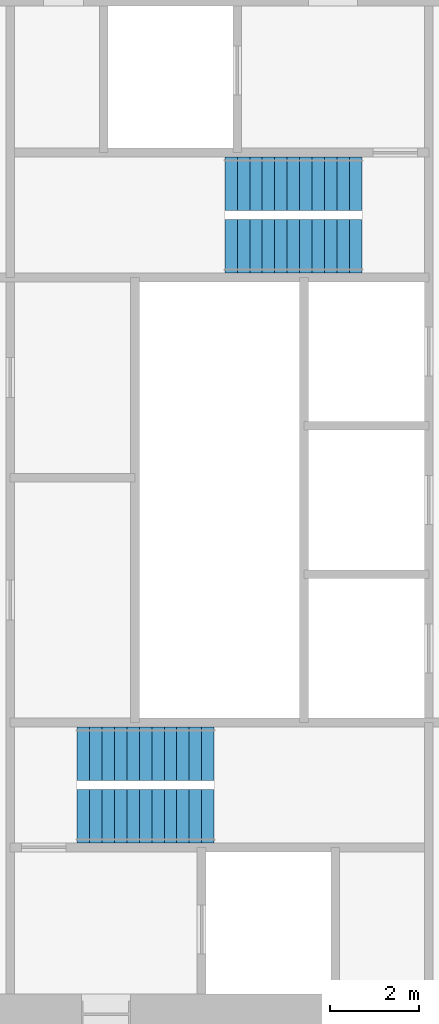
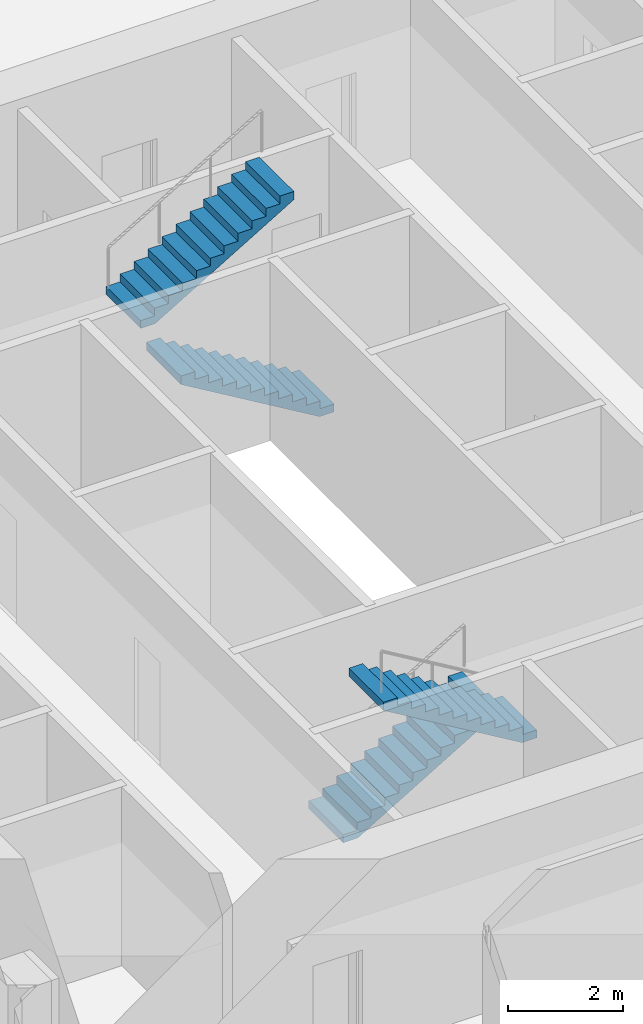
# One storey, part 12 of 14: 4 stair flights, 2 elements without a shape of their own.
"""IFC4 building model written with IfcOpenShell, lengths in metres."""

from ifc_helpers import new_model, si_unit, direction, frame, origin, place, context, subcontext, project, spatial, polyline, outline, extrude, material, type_object, element, aggregate, save


model = new_model("IFC4")

# Units and contexts
model_context = context("Model", 3, precision=1e-05, world=origin(), true_north=direction((0.0, 1.0)))
body_context = subcontext(model_context, "Body", "Model", "MODEL_VIEW")
ifc_project = project(units=[si_unit("LENGTHUNIT", "METRE"), si_unit("AREAUNIT", "SQUARE_METRE"), si_unit("VOLUMEUNIT", "CUBIC_METRE"), si_unit("PLANEANGLEUNIT", "RADIAN"), si_unit("MASSUNIT", "GRAM", prefix="KILO")], contexts=[model_context])

# Site, building, storey
site_placement = place(None, origin())
site = spatial("IfcSite", under=ifc_project, at=site_placement, CompositionType="ELEMENT")
building_placement = place(site_placement, origin())
building = spatial("IfcBuilding", under=site, at=building_placement, Name="Fenwick Lantern Interchange", CompositionType="ELEMENT")
storey_placement = place(building_placement, frame((0.0, 0.0, 221.800048828125)))
storey = spatial("IfcBuildingStorey", under=building, at=storey_placement, Name="L52", CompositionType="ELEMENT", Elevation=221.800048828125)

# Stair, stair flights
ifc_material = material(Name="Precast concrete f'c 35 MPa", Category="concrete")
stair_type = type_object("IfcStairType", Name="EXIT STAIR 1200", PredefinedType="HALF_TURN_STAIR", material=ifc_material)
stair_1_placement = place(storey_placement, origin())
stair_1 = element("IfcStair", 1, at=stair_1_placement, inside=storey, type_object=stair_type, Name="Exit stair ST1", PredefinedType="HALF_TURN_STAIR")
stair_flight_type = type_object("IfcStairFlightType", Name="STAIR FLIGHT 1200", PredefinedType="STRAIGHT", material=ifc_material)
stair_flight_1_placement = place(storey_placement, frame((21.800048828125, 19.300048828125, 0.0), z_axis=(0.0, 0.0, 1.0), x_axis=(1.0, 0.0, 0.0)))
stair_flight_1 = element("IfcStairFlight", 2, at=stair_flight_1_placement, type_object=stair_flight_type, Name="ST1 flight 1", NumberOfRisers=12, NumberOfTreads=11, PredefinedType="STRAIGHT", RiserHeight=0.166666667, TreadLength=0.28, context=body_context, shape_type="SweptSolid", body=[
    extrude(outline(polyline([(0.0, 0.0), (0.0, 0.166748046875), (0.280029296875, 0.166748046875), (0.280029296875, 0.333251953125), (0.56005859375, 0.333251953125), (0.56005859375, 0.5), (0.840087890625, 0.5), (0.840087890625, 0.666748046875), (1.1201171875, 0.666748046875), (1.1201171875, 0.833251953125), (1.39990234375, 0.833251953125), (1.39990234375, 1.0), (1.679931640625, 1.0), (1.679931640625, 1.166748046875), (1.9599609375, 1.166748046875), (1.9599609375, 1.333251953125), (2.239990234375, 1.333251953125), (2.239990234375, 1.5), (2.52001953125, 1.5), (2.52001953125, 1.666748046875), (2.800048828125, 1.666748046875), (2.800048828125, 1.833251953125), (3.080078125, 1.833251953125), (3.080078125, 2.0), (3.080078125, 1.658935546875), (0.29296875, 0.0), (0.0, 0.0)])), frame((0.0, 0.60009765625, 0.0), z_axis=(0.0, -1.0, 0.0), x_axis=(1.0, 0.0, 0.0)), (0.0, 0.0, 1.0), 1.199951171875),
])
stair_flight_2_placement = place(storey_placement, frame((24.8798828125, 17.89990234375, 2.0), z_axis=(0.0, 0.0, 1.0), x_axis=(-1.0, 0.0, 0.0)))
stair_flight_2 = element("IfcStairFlight", 3, at=stair_flight_2_placement, type_object=stair_flight_type, Name="ST1 flight 2", NumberOfRisers=12, NumberOfTreads=11, PredefinedType="STRAIGHT", RiserHeight=0.166666667, TreadLength=0.28, context=body_context, shape_type="SweptSolid", body=[
    extrude(outline(polyline([(0.0, 0.0), (0.0, 0.166748046875), (0.280029296875, 0.166748046875), (0.280029296875, 0.333251953125), (0.56005859375, 0.333251953125), (0.56005859375, 0.5), (0.840087890625, 0.5), (0.840087890625, 0.666748046875), (1.1201171875, 0.666748046875), (1.1201171875, 0.833251953125), (1.39990234375, 0.833251953125), (1.39990234375, 1.0), (1.679931640625, 1.0), (1.679931640625, 1.166748046875), (1.9599609375, 1.166748046875), (1.9599609375, 1.333251953125), (2.239990234375, 1.333251953125), (2.239990234375, 1.5), (2.52001953125, 1.5), (2.52001953125, 1.666748046875), (2.800048828125, 1.666748046875), (2.800048828125, 1.833251953125), (3.080078125, 1.833251953125), (3.080078125, 2.0), (3.080078125, 1.658935546875), (0.29296875, 0.0), (0.0, 0.0)])), frame((0.0, 0.60009765625, 0.0), z_axis=(0.0, -1.0, 0.0), x_axis=(1.0, 0.0, 0.0)), (0.0, 0.0, 1.0), 1.199951171875),
])
aggregate(stair_1, [stair_flight_1, stair_flight_2])

stair_2_placement = place(storey_placement, origin())
stair_2 = element("IfcStair", 4, at=stair_2_placement, inside=storey, type_object=stair_type, Name="Exit stair ST2", PredefinedType="HALF_TURN_STAIR")
stair_flight_3_placement = place(storey_placement, frame((28.199951171875, 30.699951171875, 0.0), z_axis=(0.0, 0.0, 1.0), x_axis=(-1.0, 0.0, 0.0)))
stair_flight_3 = element("IfcStairFlight", 5, at=stair_flight_3_placement, type_object=stair_flight_type, Name="ST2 flight 1", NumberOfRisers=12, NumberOfTreads=11, PredefinedType="STRAIGHT", RiserHeight=0.166666667, TreadLength=0.28, context=body_context, shape_type="SweptSolid", body=[
    extrude(outline(polyline([(0.0, 0.0), (0.0, 0.166748046875), (0.280029296875, 0.166748046875), (0.280029296875, 0.333251953125), (0.56005859375, 0.333251953125), (0.56005859375, 0.5), (0.840087890625, 0.5), (0.840087890625, 0.666748046875), (1.1201171875, 0.666748046875), (1.1201171875, 0.833251953125), (1.39990234375, 0.833251953125), (1.39990234375, 1.0), (1.679931640625, 1.0), (1.679931640625, 1.166748046875), (1.9599609375, 1.166748046875), (1.9599609375, 1.333251953125), (2.239990234375, 1.333251953125), (2.239990234375, 1.5), (2.52001953125, 1.5), (2.52001953125, 1.666748046875), (2.800048828125, 1.666748046875), (2.800048828125, 1.833251953125), (3.080078125, 1.833251953125), (3.080078125, 2.0), (3.080078125, 1.658935546875), (0.29296875, 0.0), (0.0, 0.0)])), frame((0.0, 0.60009765625, 0.0), z_axis=(0.0, -1.0, 0.0), x_axis=(1.0, 0.0, 0.0)), (0.0, 0.0, 1.0), 1.199951171875),
])
stair_flight_4_placement = place(storey_placement, frame((25.1201171875, 32.10009765625, 2.0), z_axis=(0.0, 0.0, 1.0), x_axis=(1.0, 0.0, 0.0)))
stair_flight_4 = element("IfcStairFlight", 6, at=stair_flight_4_placement, type_object=stair_flight_type, Name="ST2 flight 2", NumberOfRisers=12, NumberOfTreads=11, PredefinedType="STRAIGHT", RiserHeight=0.166666667, TreadLength=0.28, context=body_context, shape_type="SweptSolid", body=[
    extrude(outline(polyline([(0.0, 0.0), (0.0, 0.166748046875), (0.280029296875, 0.166748046875), (0.280029296875, 0.333251953125), (0.56005859375, 0.333251953125), (0.56005859375, 0.5), (0.840087890625, 0.5), (0.840087890625, 0.666748046875), (1.1201171875, 0.666748046875), (1.1201171875, 0.833251953125), (1.39990234375, 0.833251953125), (1.39990234375, 1.0), (1.679931640625, 1.0), (1.679931640625, 1.166748046875), (1.9599609375, 1.166748046875), (1.9599609375, 1.333251953125), (2.239990234375, 1.333251953125), (2.239990234375, 1.5), (2.52001953125, 1.5), (2.52001953125, 1.666748046875), (2.800048828125, 1.666748046875), (2.800048828125, 1.833251953125), (3.080078125, 1.833251953125), (3.080078125, 2.0), (3.080078125, 1.658935546875), (0.29296875, 0.0), (0.0, 0.0)])), frame((0.0, 0.60009765625, 0.0), z_axis=(0.0, -1.0, 0.0), x_axis=(1.0, 0.0, 0.0)), (0.0, 0.0, 1.0), 1.199951171875),
])
aggregate(stair_2, [stair_flight_3, stair_flight_4])

save(model, "model.ifc")
